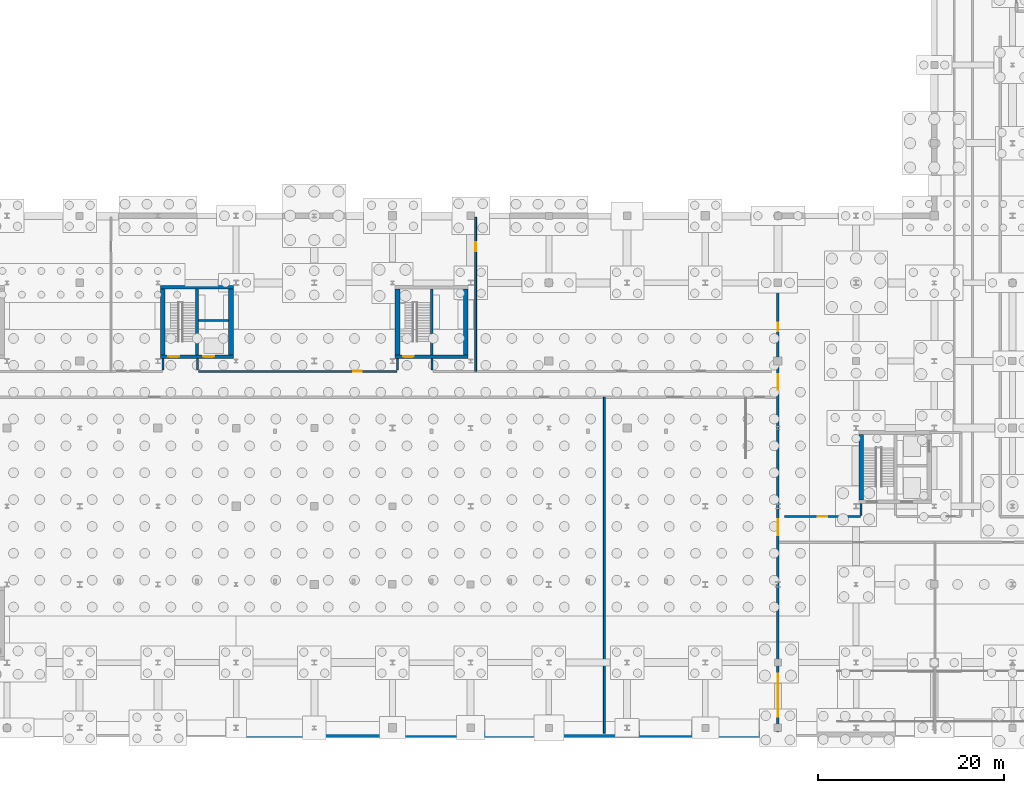
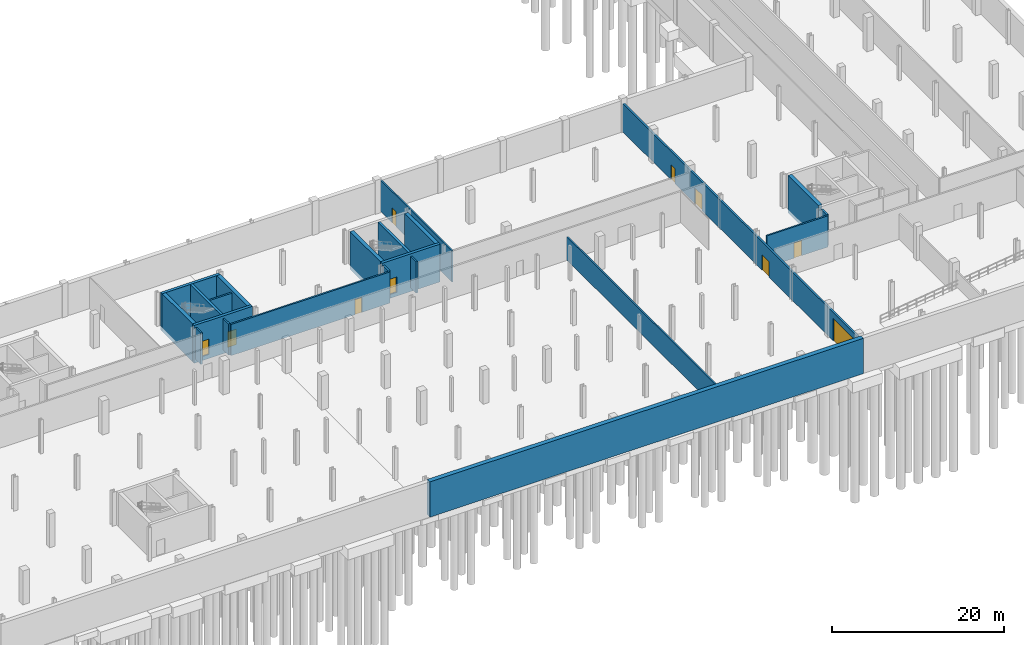
# One storey, part 23 of 32: 22 walls, 10 doors, 10 openings.
"""IFC4 building model written with IfcOpenShell, lengths in metres."""

from ifc_helpers import new_model, si_unit, direction, frame, frame_2d, origin_with_axes, place, context, subcontext, project, spatial, rectangle, extrude, material, layer, layer_set, type_object, element, fill, save


model = new_model("IFC4")

# Units and contexts
model_context = context("Model", 3, precision=1e-05, world=origin_with_axes(), true_north=direction((0.0, 1.0)))
body_context = subcontext(model_context, "Body", "Model", "MODEL_VIEW")
ifc_project = project(units=[si_unit("LENGTHUNIT", "METRE"), si_unit("AREAUNIT", "SQUARE_METRE"), si_unit("VOLUMEUNIT", "CUBIC_METRE"), si_unit("PLANEANGLEUNIT", "RADIAN"), si_unit("MASSUNIT", "GRAM", prefix="KILO"), si_unit("THERMODYNAMICTEMPERATUREUNIT", "KELVIN")], contexts=[model_context])

# Site, building, storey
site_placement = place(None, origin_with_axes())
site = spatial("IfcSite", under=ifc_project, at=site_placement, CompositionType="ELEMENT")
building_placement = place(site_placement, origin_with_axes())
building = spatial("IfcBuilding", under=site, at=building_placement, Name="Montbau Bow Law Courts", CompositionType="ELEMENT")
storey_placement = place(building_placement, frame((0.0, 0.0, -4.8), z_axis=(0.0, 0.0, 1.0), x_axis=(1.0, 0.0, 0.0)))
storey = spatial("IfcBuildingStorey", under=building, at=storey_placement, Name="B1", CompositionType="ELEMENT", Elevation=-4.8)

# Walls
ifc_material_1 = material(Name="Concrete CSA A23.1 f'c 45 MPa", Category="concrete")
ifc_layer_1 = layer(ifc_material_1, 0.5, Name="Shear Wall", Category="concrete")
ifc_layer_set_1 = layer_set([ifc_layer_1], Name="Concrete CSA A23.1 f'c 45 MPa")
wall_type_1 = type_object("IfcWallType", Name="W-COR-01", PredefinedType="SHEAR", material=ifc_layer_set_1)
for number, where, z_axis, x_axis, name in (
    (1, (63.06, 46.87, -5.35), (0.0, 0.0, 1.0), (0.0, 1.0, 0.0), "WC-B1-0138:wal_0205"),
    (2, (55.74, 53.93, -5.35), (0.0, 0.0, 1.0), (0.0, -1.0, 0.0), "WC-B1-0139:wal_0206"),
    (3, (88.26, 46.87, -5.35), (0.0, 0.0, 1.0), (0.0, 1.0, 0.0), "WC-B1-0216:wal_0283"),
    (4, (80.94, 53.93, -5.35), (0.0, 0.0, 1.0), (0.0, -1.0, 0.0), "WC-B1-0217:wal_0284"),
):
    element("IfcWall", number, at=place(None, frame(where, z_axis=z_axis, x_axis=x_axis)), inside=storey, type_object=wall_type_1, Name=name, PredefinedType="SHEAR", context=body_context, shape_type="SweptSolid", body=[
        extrude(rectangle(XDim=7.060000000000002, YDim=0.5, at=frame_2d((3.53, 0.0), x_axis=(1.0, 0.0))), origin_with_axes(), (0.0, 0.0, 1.0), 5.35),
    ])
wall_1_placement = place(None, frame((130.74, 38.33, -5.35), z_axis=(0.0, 0.0, 1.0), x_axis=(0.0, -1.0, 0.0)))
element("IfcWall", 5, at=wall_1_placement, inside=storey, type_object=wall_type_1, Name="WC-B1-0483:wal_0550", PredefinedType="SHEAR", context=body_context, shape_type="SweptSolid", body=[
    extrude(rectangle(XDim=7.059999999999999, YDim=0.5, at=frame_2d((3.53, 0.0), x_axis=(1.0, 0.0))), origin_with_axes(), (0.0, 0.0, 1.0), 5.35),
])

# Wall, openings, doors
ifc_layer_2 = layer(ifc_material_1, 0.38, Name="Shear Wall", Category="concrete")
ifc_layer_set_2 = layer_set([ifc_layer_2], Name="Concrete CSA A23.1 f'c 45 MPa")
wall_type_2 = type_object("IfcWallType", Name="W-COR-04", PredefinedType="SHEAR", material=ifc_layer_set_2)
wall_2_placement = place(None, frame((55.49, 46.68, -5.35), z_axis=(0.0, 0.0, 1.0), x_axis=(1.0, 0.0, 0.0)))
wall_2 = element("IfcWall", 6, at=wall_2_placement, inside=storey, type_object=wall_type_2, Name="WC-B1-0136:wal_0203", PredefinedType="SHEAR", context=body_context, shape_type="SweptSolid", body=[
    extrude(rectangle(XDim=7.82, YDim=0.38, at=frame_2d((3.91, 0.0), x_axis=(1.0, 0.0))), origin_with_axes(), (0.0, 0.0, 1.0), 5.35),
])
opening_1_placement = place(None, frame((56.91, 46.68, -4.8), z_axis=(0.0, 0.0, 1.0), x_axis=(1.0, 0.0, 0.0)))
opening_1 = element("IfcOpeningElement", 7, at=opening_1_placement, cuts=wall_2, Name="OP-D-B1-ST-P4", PredefinedType="OPENING", context=body_context, shape_type="SweptSolid", body=[
    extrude(rectangle(XDim=1.14, YDim=2.18, at=frame_2d((0.0, 1.09), x_axis=(1.0, 0.0))), frame((0.0, 0.2, 0.0), z_axis=(0.0, -1.0, 0.0), x_axis=(1.0, 0.0, 0.0)), (0.0, 0.0, 1.0), 0.4),
])
opening_2_placement = place(None, frame((60.65, 46.68, -4.8), z_axis=(0.0, 0.0, 1.0), x_axis=(1.0, 0.0, 0.0)))
opening_2 = element("IfcOpeningElement", 8, at=opening_2_placement, cuts=wall_2, Name="OP-LD-B1-EL-P3", PredefinedType="OPENING", context=body_context, shape_type="SweptSolid", body=[
    extrude(rectangle(XDim=1.16, YDim=2.2, at=frame_2d((0.0, 1.1), x_axis=(1.0, 0.0))), frame((0.0, 0.2, 0.0), z_axis=(0.0, -1.0, 0.0), x_axis=(1.0, 0.0, 0.0)), (0.0, 0.0, 1.0), 0.4),
])
ifc_material_2 = material(Name="1.5 h Fire-Rated Hollow-Metal Exit Stair Door", Category="steel")
door_type_1 = type_object("IfcDoorType", Name="D-ST-01", OperationType="NOTDEFINED", ParameterTakesPrecedence=False, PredefinedType="DOOR", material=ifc_material_2)
door_1_placement = place(None, frame((56.91, 46.68, -4.8), z_axis=(0.0, 0.0, 1.0), x_axis=(-1.0, 0.0, 0.0)))
door_1 = element("IfcDoor", 9, at=door_1_placement, inside=storey, type_object=door_type_1, Name="D-B1-ST-P4:dor_0091", OperationType="SINGLE_SWING_RIGHT", OverallHeight=2.18, OverallWidth=1.14, PredefinedType="DOOR", context=body_context, shape_type="SweptSolid", body=[
    extrude(rectangle(XDim=1.14, YDim=2.18, at=frame_2d((0.0, 1.09), x_axis=(1.0, 0.0))), frame((0.0, 0.04, 0.0), z_axis=(0.0, -1.0, 0.0), x_axis=(1.0, 0.0, 0.0)), (0.0, 0.0, 1.0), 0.08),
])
fill(opening_1, door_1)
ifc_material_3 = material(Name="Brushed Stainless Steel Elevator Landing Door", Category="steel")
door_type_2 = type_object("IfcDoorType", Name="LD-PUB-01", OperationType="NOTDEFINED", ParameterTakesPrecedence=False, PredefinedType="DOOR", material=ifc_material_3)
door_2_placement = place(None, frame((60.65, 46.68, -4.8), z_axis=(0.0, 0.0, 1.0), x_axis=(-1.0, 0.0, 0.0)))
door_2 = element("IfcDoor", 10, at=door_2_placement, inside=storey, type_object=door_type_2, Name="LD-B1-EL-P3:dor_0092", OperationType="SLIDING_TO_LEFT", OverallHeight=2.2, OverallWidth=1.16, PredefinedType="DOOR", context=body_context, shape_type="SweptSolid", body=[
    extrude(rectangle(XDim=1.16, YDim=2.2, at=frame_2d((0.0, 1.1), x_axis=(1.0, 0.0))), frame((0.0, 0.04, 0.0), z_axis=(0.0, -1.0, 0.0), x_axis=(1.0, 0.0, 0.0)), (0.0, 0.0, 1.0), 0.08),
])
fill(opening_2, door_2)

# Wall
wall_3_placement = place(None, frame((63.31, 54.12, -5.35), z_axis=(0.0, 0.0, 1.0), x_axis=(-1.0, 0.0, 0.0)))
element("IfcWall", 11, at=wall_3_placement, inside=storey, type_object=wall_type_2, Name="WC-B1-0137:wal_0204", PredefinedType="SHEAR", context=body_context, shape_type="SweptSolid", body=[
    extrude(rectangle(XDim=7.82, YDim=0.38, at=frame_2d((3.91, 0.0), x_axis=(1.0, 0.0))), origin_with_axes(), (0.0, 0.0, 1.0), 5.35),
])

# Wall, opening, door
wall_4_placement = place(None, frame((80.69, 46.68, -5.35), z_axis=(0.0, 0.0, 1.0), x_axis=(1.0, 0.0, 0.0)))
wall_4 = element("IfcWall", 12, at=wall_4_placement, inside=storey, type_object=wall_type_2, Name="WC-B1-0214:wal_0281", PredefinedType="SHEAR", context=body_context, shape_type="SweptSolid", body=[
    extrude(rectangle(XDim=7.820000000000007, YDim=0.38, at=frame_2d((3.91, 0.0), x_axis=(1.0, 0.0))), origin_with_axes(), (0.0, 0.0, 1.0), 5.35),
])
opening_3_placement = place(None, frame((82.11, 46.68, -4.8), z_axis=(0.0, 0.0, 1.0), x_axis=(1.0, 0.0, 0.0)))
opening_3 = element("IfcOpeningElement", 13, at=opening_3_placement, cuts=wall_4, Name="OP-D-B1-ST-P3", PredefinedType="OPENING", context=body_context, shape_type="SweptSolid", body=[
    extrude(rectangle(XDim=1.14, YDim=2.18, at=frame_2d((0.0, 1.09), x_axis=(1.0, 0.0))), frame((0.0, 0.2, 0.0), z_axis=(0.0, -1.0, 0.0), x_axis=(1.0, 0.0, 0.0)), (0.0, 0.0, 1.0), 0.4),
])
door_3_placement = place(None, frame((82.11, 46.68, -4.8), z_axis=(0.0, 0.0, 1.0), x_axis=(-1.0, 0.0, 0.0)))
door_3 = element("IfcDoor", 14, at=door_3_placement, inside=storey, type_object=door_type_1, Name="D-B1-ST-P3:dor_0125", OperationType="SINGLE_SWING_RIGHT", OverallHeight=2.18, OverallWidth=1.14, PredefinedType="DOOR", context=body_context, shape_type="SweptSolid", body=[
    extrude(rectangle(XDim=1.14, YDim=2.18, at=frame_2d((0.0, 1.09), x_axis=(1.0, 0.0))), frame((0.0, 0.04, 0.0), z_axis=(0.0, -1.0, 0.0), x_axis=(1.0, 0.0, 0.0)), (0.0, 0.0, 1.0), 0.08),
])
fill(opening_3, door_3)

# Walls
ifc_layer_3 = layer(ifc_material_1, 0.32, Name="Shear Wall", Category="concrete")
ifc_layer_set_3 = layer_set([ifc_layer_3], Name="Concrete CSA A23.1 f'c 45 MPa")
wall_type_3 = type_object("IfcWallType", Name="W-COR-05", PredefinedType="SHEAR", material=ifc_layer_set_3)
for number, where, z_axis, x_axis, name in (
    (15, (59.42, 46.87, -5.35), (0.0, 0.0, 1.0), (0.0, 1.0, 0.0), "WS-B1-0140:wal_0207"),
    (16, (84.62, 46.87, -5.35), (0.0, 0.0, 1.0), (0.0, 1.0, 0.0), "WS-B1-0218:wal_0285"),
):
    element("IfcWall", number, at=place(None, frame(where, z_axis=z_axis, x_axis=x_axis)), inside=storey, type_object=wall_type_3, Name=name, PredefinedType="SHEAR", context=body_context, shape_type="SweptSolid", body=[
        extrude(rectangle(XDim=7.060000000000002, YDim=0.32, at=frame_2d((3.53, 0.0), x_axis=(1.0, 0.0))), origin_with_axes(), (0.0, 0.0, 1.0), 5.35),
    ])
ifc_material_4 = material(Name="2 h Shaft and Exit-Passage Fire Separation Partition", Category="gypsum")
ifc_layer_4 = layer(ifc_material_4, 0.25, Name="Partition", Category="gypsum")
ifc_layer_set_4 = layer_set([ifc_layer_4], Name="2 h Shaft and Exit-Passage Fire Separation Partition")
wall_type_4 = type_object("IfcWallType", Name="W-PRT-01", PredefinedType="PARTITIONING", material=ifc_layer_set_4)
wall_5_placement = place(None, frame((59.58, 50.549, -4.8), z_axis=(0.0, 0.0, 1.0), x_axis=(1.0, 0.0, 0.0)))
element("IfcWall", 17, at=wall_5_placement, inside=storey, type_object=wall_type_4, Name="WS-B1-0141:wal_0208", PredefinedType="PARTITIONING", context=body_context, shape_type="SweptSolid", body=[
    extrude(rectangle(XDim=3.230000000000004, YDim=0.25, at=frame_2d((1.615, 0.0), x_axis=(1.0, 0.0))), origin_with_axes(), (0.0, 0.0, 1.0), 4.44),
])

# Wall, openings, doors
wall_6_placement = place(None, frame((121.8, 6.36, -4.8), z_axis=(0.0, 0.0, 1.0), x_axis=(0.0, 1.0, 0.0)))
wall_6 = element("IfcWall", 18, at=wall_6_placement, inside=storey, type_object=wall_type_4, Name="WLK-B1-0568:wal_0635", PredefinedType="PARTITIONING", context=body_context, shape_type="SweptSolid", body=[
    extrude(rectangle(XDim=55.160000000000004, YDim=0.25, at=frame_2d((27.58, 0.0), x_axis=(1.0, 0.0))), origin_with_axes(), (0.0, 0.0, 1.0), 4.024),
])
opening_4_placement = place(None, frame((121.8, 10.3, -4.8), z_axis=(0.0, 0.0, 1.0), x_axis=(0.0, 1.0, 0.0)))
opening_4 = element("IfcOpeningElement", 19, at=opening_4_placement, cuts=wall_6, Name="OP-D-B1-VG1", PredefinedType="OPENING", context=body_context, shape_type="SweptSolid", body=[
    extrude(rectangle(XDim=4.6, YDim=3.2, at=frame_2d((0.0, 1.6), x_axis=(1.0, 0.0))), frame((0.0, 0.135, 0.0), z_axis=(0.0, -1.0, 0.0), x_axis=(1.0, 0.0, 0.0)), (0.0, 0.0, 1.0), 0.27),
])
opening_5_placement = place(None, frame((121.8, 28.34, -4.8), z_axis=(0.0, 0.0, 1.0), x_axis=(0.0, 1.0, 0.0)))
opening_5 = element("IfcOpeningElement", 20, at=opening_5_placement, cuts=wall_6, Name="OP-D-LNK-212", PredefinedType="OPENING", context=body_context, shape_type="SweptSolid", body=[
    extrude(rectangle(XDim=1.68, YDim=2.22, at=frame_2d((0.0, 1.11), x_axis=(1.0, 0.0))), frame((0.0, 0.135, 0.0), z_axis=(0.0, -1.0, 0.0), x_axis=(1.0, 0.0, 0.0)), (0.0, 0.0, 1.0), 0.27),
])
opening_6_placement = place(None, frame((121.8, 43.94, -4.8), z_axis=(0.0, 0.0, 1.0), x_axis=(0.0, 1.0, 0.0)))
opening_6 = element("IfcOpeningElement", 21, at=opening_6_placement, cuts=wall_6, Name="OP-D-LNK-213", PredefinedType="OPENING", context=body_context, shape_type="SweptSolid", body=[
    extrude(rectangle(XDim=1.68, YDim=2.22, at=frame_2d((0.0, 1.11), x_axis=(1.0, 0.0))), frame((0.0, 0.135, 0.0), z_axis=(0.0, -1.0, 0.0), x_axis=(1.0, 0.0, 0.0)), (0.0, 0.0, 1.0), 0.27),
])
opening_7_placement = place(None, frame((121.8, 49.845, -4.8), z_axis=(0.0, 0.0, 1.0), x_axis=(0.0, 1.0, 0.0)))
opening_7 = element("IfcOpeningElement", 22, at=opening_7_placement, cuts=wall_6, Name="OP-D-SEC-414", PredefinedType="OPENING", context=body_context, shape_type="SweptSolid", body=[
    extrude(rectangle(XDim=0.92, YDim=2.14, at=frame_2d((0.0, 1.07), x_axis=(1.0, 0.0))), frame((0.0, 0.135, 0.0), z_axis=(0.0, -1.0, 0.0), x_axis=(1.0, 0.0, 0.0)), (0.0, 0.0, 1.0), 0.27),
])
ifc_material_5 = material(Name="2 h Evidence Vault and Court Archive Fire Door", Category="steel")
door_type_3 = type_object("IfcDoorType", Name="D-ARC-01", OperationType="NOTDEFINED", ParameterTakesPrecedence=False, PredefinedType="DOOR", material=ifc_material_5)
door_4_placement = place(None, frame((121.8, 28.34, -4.8), z_axis=(0.0, 0.0, 1.0), x_axis=(0.0, 1.0, 0.0)))
door_4 = element("IfcDoor", 23, at=door_4_placement, inside=storey, type_object=door_type_3, Name="D-LNK-212:dor_0247", OperationType="SINGLE_SWING_RIGHT", OverallHeight=2.22, OverallWidth=1.68, PredefinedType="DOOR", context=body_context, shape_type="SweptSolid", body=[
    extrude(rectangle(XDim=1.68, YDim=2.22, at=frame_2d((0.0, 1.11), x_axis=(1.0, 0.0))), frame((0.0, 0.04, 0.0), z_axis=(0.0, -1.0, 0.0), x_axis=(1.0, 0.0, 0.0)), (0.0, 0.0, 1.0), 0.08),
])
fill(opening_5, door_4)
door_5_placement = place(None, frame((121.8, 43.94, -4.8), z_axis=(0.0, 0.0, 1.0), x_axis=(0.0, 1.0, 0.0)))
door_5 = element("IfcDoor", 24, at=door_5_placement, inside=storey, type_object=door_type_3, Name="D-LNK-213:dor_0248", OperationType="SINGLE_SWING_LEFT", OverallHeight=2.22, OverallWidth=1.68, PredefinedType="DOOR", context=body_context, shape_type="SweptSolid", body=[
    extrude(rectangle(XDim=1.68, YDim=2.22, at=frame_2d((0.0, 1.11), x_axis=(1.0, 0.0))), frame((0.0, 0.04, 0.0), z_axis=(0.0, -1.0, 0.0), x_axis=(1.0, 0.0, 0.0)), (0.0, 0.0, 1.0), 0.08),
])
fill(opening_6, door_5)
ifc_material_6 = material(Name="Judicial Law Clerk and Registry Office Oak Door", Category="wood")
door_type_4 = type_object("IfcDoorType", Name="D-OFF-01", OperationType="NOTDEFINED", ParameterTakesPrecedence=False, PredefinedType="DOOR", material=ifc_material_6)
door_6_placement = place(None, frame((121.8, 49.845, -4.8), z_axis=(0.0, 0.0, 1.0), x_axis=(0.0, 1.0, 0.0)))
door_6 = element("IfcDoor", 25, at=door_6_placement, inside=storey, type_object=door_type_4, Name="D-SEC-414:dor_0449", OperationType="SINGLE_SWING_LEFT", OverallHeight=2.14, OverallWidth=0.92, PredefinedType="DOOR", context=body_context, shape_type="SweptSolid", body=[
    extrude(rectangle(XDim=0.92, YDim=2.14, at=frame_2d((0.0, 1.07), x_axis=(1.0, 0.0))), frame((0.0, 0.04, 0.0), z_axis=(0.0, -1.0, 0.0), x_axis=(1.0, 0.0, 0.0)), (0.0, 0.0, 1.0), 0.08),
])
fill(opening_7, door_6)
ifc_material_7 = material(Name="Insulated Galvanised Steel Security Vehicle Gate", Category="steel")
door_type_5 = type_object("IfcDoorType", Name="D-VEH-02", OperationType="NOTDEFINED", ParameterTakesPrecedence=False, PredefinedType="GATE", material=ifc_material_7)
door_7_placement = place(None, frame((121.8, 10.3, -4.8), z_axis=(0.0, 0.0, 1.0), x_axis=(0.0, 1.0, 0.0)))
door_7 = element("IfcDoor", 26, at=door_7_placement, inside=storey, type_object=door_type_5, Name="D-B1-VG1:dor_0246", OperationType="ROLLINGUP", OverallHeight=3.2, OverallWidth=4.6, PredefinedType="GATE", context=body_context, shape_type="SweptSolid", body=[
    extrude(rectangle(XDim=4.6, YDim=3.2, at=frame_2d((0.0, 1.6), x_axis=(1.0, 0.0))), frame((0.0, 0.04, 0.0), z_axis=(0.0, -1.0, 0.0), x_axis=(1.0, 0.0, 0.0)), (0.0, 0.0, 1.0), 0.08),
])
fill(opening_4, door_7)

# Walls
ifc_material_8 = material(Name="STC-60 High-Acoustic Courtroom Perimeter Partition", Category="gypsum")
ifc_layer_5 = layer(ifc_material_8, 0.22, Name="Partition", Category="gypsum")
ifc_layer_set_5 = layer_set([ifc_layer_5], Name="STC-60 High-Acoustic Courtroom Perimeter Partition")
wall_type_5 = type_object("IfcWallType", Name="W-PRT-02", PredefinedType="PARTITIONING", material=ifc_layer_set_5)
for number, where, z_axis, x_axis, name in (
    (27, (55.74, 45.22, -4.8), (0.0, 0.0, 1.0), (0.0, 1.0, 0.0), "WCX-B1-0573:wal_0640"),
    (28, (59.45, 45.22, -4.8), (0.0, 0.0, 1.0), (0.0, 1.0, 0.0), "WCX-B1-0574:wal_0641"),
    (29, (80.94, 45.22, -4.8), (0.0, 0.0, 1.0), (0.0, 1.0, 0.0), "WCX-B1-0575:wal_0642"),
    (30, (84.65, 45.22, -4.8), (0.0, 0.0, 1.0), (0.0, 1.0, 0.0), "WCX-B1-0576:wal_0643"),
):
    element("IfcWall", number, at=place(None, frame(where, z_axis=z_axis, x_axis=x_axis)), inside=storey, type_object=wall_type_5, Name=name, PredefinedType="PARTITIONING", context=body_context, shape_type="SweptSolid", body=[
        extrude(rectangle(XDim=1.259999999999998, YDim=0.22, at=frame_2d((0.63, 0.0), x_axis=(1.0, 0.0))), origin_with_axes(), (0.0, 0.0, 1.0), 4.44),
    ])

# Wall, opening, door
wall_7_placement = place(None, frame((59.55, 45.09, -4.8), z_axis=(0.0, 0.0, 1.0), x_axis=(1.0, 0.0, 0.0)))
wall_7 = element("IfcWall", 31, at=wall_7_placement, inside=storey, type_object=wall_type_5, Name="WP-B1-0581:wal_0648", PredefinedType="PARTITIONING", context=body_context, shape_type="SweptSolid", body=[
    extrude(rectangle(XDim=21.35000000000001, YDim=0.22, at=frame_2d((10.675, 0.0), x_axis=(1.0, 0.0))), origin_with_axes(), (0.0, 0.0, 1.0), 4.44),
])
opening_8_placement = place(None, frame((76.663, 45.09, -4.8), z_axis=(0.0, 0.0, 1.0), x_axis=(1.0, 0.0, 0.0)))
opening_8 = element("IfcOpeningElement", 32, at=opening_8_placement, cuts=wall_7, Name="OP-D-SEC-416", PredefinedType="OPENING", context=body_context, shape_type="SweptSolid", body=[
    extrude(rectangle(XDim=0.92, YDim=2.14, at=frame_2d((0.0, 1.07), x_axis=(1.0, 0.0))), frame((0.0, 0.12, 0.0), z_axis=(0.0, -1.0, 0.0), x_axis=(1.0, 0.0, 0.0)), (0.0, 0.0, 1.0), 0.24),
])
door_8_placement = place(None, frame((76.663, 45.09, -4.8), z_axis=(0.0, 0.0, 1.0), x_axis=(1.0, 0.0, 0.0)))
door_8 = element("IfcDoor", 33, at=door_8_placement, inside=storey, type_object=door_type_4, Name="D-SEC-416:dor_0451", OperationType="SINGLE_SWING_LEFT", OverallHeight=2.14, OverallWidth=0.92, PredefinedType="DOOR", context=body_context, shape_type="SweptSolid", body=[
    extrude(rectangle(XDim=0.92, YDim=2.14, at=frame_2d((0.0, 1.07), x_axis=(1.0, 0.0))), frame((0.0, 0.04, 0.0), z_axis=(0.0, -1.0, 0.0), x_axis=(1.0, 0.0, 0.0)), (0.0, 0.0, 1.0), 0.08),
])
fill(opening_8, door_8)

# Wall
wall_8_placement = place(None, frame((130.74, 29.62, -4.8), z_axis=(0.0, 0.0, 1.0), x_axis=(0.0, 1.0, 0.0)))
element("IfcWall", 34, at=wall_8_placement, inside=storey, type_object=wall_type_5, Name="WCX-B1-0588:wal_0655", PredefinedType="PARTITIONING", context=body_context, shape_type="SweptSolid", body=[
    extrude(rectangle(XDim=1.259999999999998, YDim=0.22, at=frame_2d((0.63, 0.0), x_axis=(1.0, 0.0))), origin_with_axes(), (0.0, 0.0, 1.0), 4.44),
])

# Wall, opening, door
wall_9_placement = place(None, frame((122.504, 29.49, -4.8), z_axis=(0.0, 0.0, 1.0), x_axis=(1.0, 0.0, 0.0)))
wall_9 = element("IfcWall", 35, at=wall_9_placement, inside=storey, type_object=wall_type_5, Name="WP-B1-0592:wal_0659", PredefinedType="PARTITIONING", context=body_context, shape_type="SweptSolid", body=[
    extrude(rectangle(XDim=8.195999999999984, YDim=0.22, at=frame_2d((4.098, 0.0), x_axis=(1.0, 0.0))), origin_with_axes(), (0.0, 0.0, 1.0), 4.44),
])
opening_9_placement = place(None, frame((126.602, 29.49, -4.8), z_axis=(0.0, 0.0, 1.0), x_axis=(1.0, 0.0, 0.0)))
opening_9 = element("IfcOpeningElement", 36, at=opening_9_placement, cuts=wall_9, Name="OP-D-B1-220", PredefinedType="OPENING", context=body_context, shape_type="SweptSolid", body=[
    extrude(rectangle(XDim=1.05, YDim=2.15, at=frame_2d((0.0, 1.075), x_axis=(1.0, 0.0))), frame((0.0, 0.12, 0.0), z_axis=(0.0, -1.0, 0.0), x_axis=(1.0, 0.0, 0.0)), (0.0, 0.0, 1.0), 0.24),
])
ifc_material_9 = material(Name="1.5 h Fire Command Room Hollow-Metal Door", Category="steel")
door_type_6 = type_object("IfcDoorType", Name="D-FCC-01", OperationType="NOTDEFINED", ParameterTakesPrecedence=False, PredefinedType="DOOR", material=ifc_material_9)
door_9_placement = place(None, frame((126.602, 29.49, -4.8), z_axis=(0.0, 0.0, 1.0), x_axis=(-1.0, 0.0, 0.0)))
door_9 = element("IfcDoor", 37, at=door_9_placement, inside=storey, type_object=door_type_6, Name="D-B1-220:dor_0255", OperationType="SINGLE_SWING_RIGHT", OverallHeight=2.15, OverallWidth=1.05, PredefinedType="DOOR", context=body_context, shape_type="SweptSolid", body=[
    extrude(rectangle(XDim=1.05, YDim=2.15, at=frame_2d((0.0, 1.075), x_axis=(1.0, 0.0))), frame((0.0, 0.04, 0.0), z_axis=(0.0, -1.0, 0.0), x_axis=(1.0, 0.0, 0.0)), (0.0, 0.0, 1.0), 0.08),
])
fill(opening_9, door_9)

ifc_material_10 = material(Name="STC-55 Jury Deliberation Security Partition", Category="gypsum")
ifc_layer_6 = layer(ifc_material_10, 0.2, Name="Partition", Category="gypsum")
ifc_layer_set_6 = layer_set([ifc_layer_6], Name="STC-55 Jury Deliberation Security Partition")
wall_type_6 = type_object("IfcWallType", Name="W-PRT-03", PredefinedType="PARTITIONING", material=ifc_layer_set_6)
wall_10_placement = place(None, frame((89.338, 45.09, -4.8), z_axis=(0.0, 0.0, 1.0), x_axis=(0.0, 1.0, 0.0)))
wall_10 = element("IfcWall", 38, at=wall_10_placement, inside=storey, type_object=wall_type_6, Name="WD-B1-0586:wal_0653", PredefinedType="PARTITIONING", context=body_context, shape_type="SweptSolid", body=[
    extrude(rectangle(XDim=16.569999999999993, YDim=0.2, at=frame_2d((8.285, 0.0), x_axis=(1.0, 0.0))), origin_with_axes(), (0.0, 0.0, 1.0), 4.44),
])
opening_10_placement = place(None, frame((89.338, 58.475, -4.8), z_axis=(0.0, 0.0, 1.0), x_axis=(0.0, 1.0, 0.0)))
opening_10 = element("IfcOpeningElement", 39, at=opening_10_placement, cuts=wall_10, Name="OP-D-SEC-420", PredefinedType="OPENING", context=body_context, shape_type="SweptSolid", body=[
    extrude(rectangle(XDim=0.92, YDim=2.14, at=frame_2d((0.0, 1.07), x_axis=(1.0, 0.0))), frame((0.0, 0.11, 0.0), z_axis=(0.0, -1.0, 0.0), x_axis=(1.0, 0.0, 0.0)), (0.0, 0.0, 1.0), 0.22),
])
door_10_placement = place(None, frame((89.338, 58.475, -4.8), z_axis=(0.0, 0.0, 1.0), x_axis=(0.0, 1.0, 0.0)))
door_10 = element("IfcDoor", 40, at=door_10_placement, inside=storey, type_object=door_type_4, Name="D-SEC-420:dor_0455", OperationType="SINGLE_SWING_LEFT", OverallHeight=2.14, OverallWidth=0.92, PredefinedType="DOOR", context=body_context, shape_type="SweptSolid", body=[
    extrude(rectangle(XDim=0.92, YDim=2.14, at=frame_2d((0.0, 1.07), x_axis=(1.0, 0.0))), frame((0.0, 0.04, 0.0), z_axis=(0.0, -1.0, 0.0), x_axis=(1.0, 0.0, 0.0)), (0.0, 0.0, 1.0), 0.08),
])
fill(opening_10, door_10)

# Walls
wall_11_placement = place(None, frame((103.165, 6.22, -4.8), z_axis=(0.0, 0.0, 1.0), x_axis=(0.0, 1.0, 0.0)))
element("IfcWall", 41, at=wall_11_placement, inside=storey, type_object=wall_type_6, Name="WD-B1-0587:wal_0654", PredefinedType="PARTITIONING", context=body_context, shape_type="SweptSolid", body=[
    extrude(rectangle(XDim=36.09, YDim=0.2, at=frame_2d((18.045, 0.0), x_axis=(1.0, 0.0))), origin_with_axes(), (0.0, 0.0, 1.0), 3.28),
])
ifc_material_11 = material(Name="Concrete CSA A23.1 f'c 40 MPa", Category="concrete")
ifc_layer_7 = layer(ifc_material_11, 0.6, Name="Retaining Wall", Category="concrete")
ifc_layer_set_7 = layer_set([ifc_layer_7], Name="Concrete CSA A23.1 f'c 40 MPa")
wall_type_7 = type_object("IfcWallType", Name="W-RET-02", PredefinedType="USERDEFINED", material=ifc_layer_set_7)
wall_12_placement = place(None, frame((63.6, 6.08, -5.35), z_axis=(0.0, 0.0, 1.0), x_axis=(1.0, 0.0, 0.0)))
element("IfcWall", 42, at=wall_12_placement, inside=storey, type_object=wall_type_7, Name="WR-B1-02:wal_0002", ObjectType="RETAININGWALL", PredefinedType="USERDEFINED", context=body_context, shape_type="SweptSolid", body=[
    extrude(rectangle(XDim=58.199999999999996, YDim=0.6, at=frame_2d((29.1, 0.0), x_axis=(1.0, 0.0))), origin_with_axes(), (0.0, 0.0, 1.0), 5.01),
])

save(model, "model.ifc")
